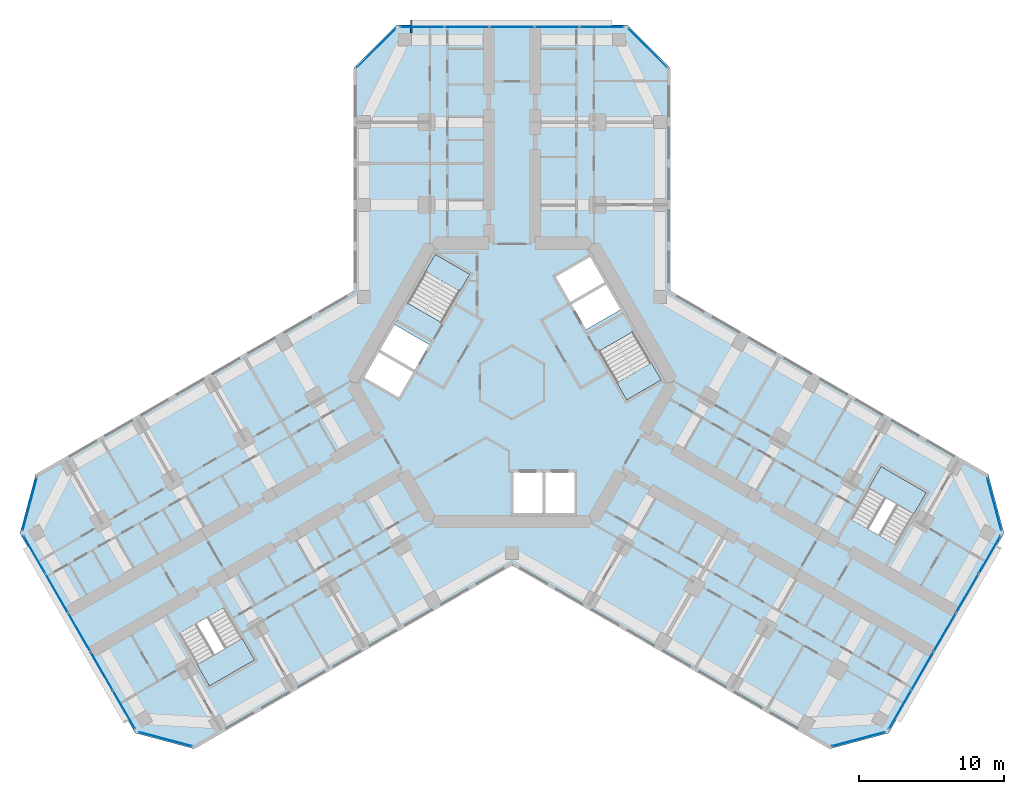
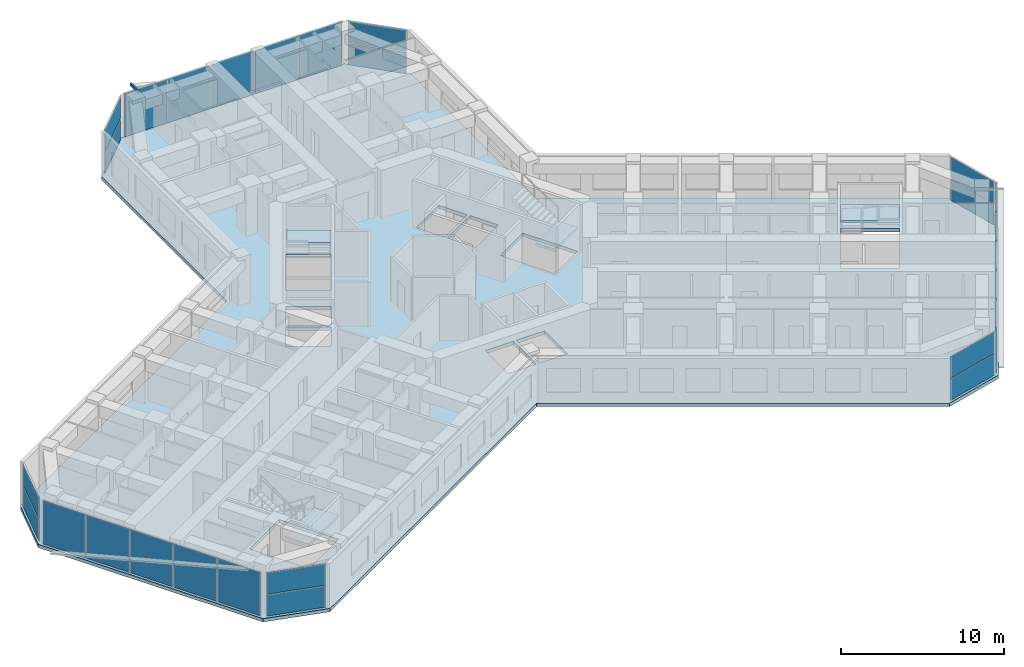
# One storey, part 9 of 19: 27 plates, 5 slabs, 1 member, 13 elements without a shape of their own.
"""IFC4 building model written with IfcOpenShell, lengths in metres."""

from ifc_helpers import new_model, si_unit, direction, frame, origin, origin_2d, place, context, subcontext, project, spatial, polyline, rectangle, hollow_rectangle, outline, extrude, material, layer, layer_set, material_profile, profile_set, type_object, element, aggregate, save


model = new_model("IFC4")

# Units and contexts
model_context = context("Model", 3, precision=1e-05, world=origin(), true_north=direction((0.0, 1.0)))
body_context = subcontext(model_context, "Body", "Model", "MODEL_VIEW")
ifc_project = project(units=[si_unit("LENGTHUNIT", "METRE"), si_unit("AREAUNIT", "SQUARE_METRE"), si_unit("VOLUMEUNIT", "CUBIC_METRE"), si_unit("PLANEANGLEUNIT", "RADIAN"), si_unit("MASSUNIT", "GRAM", prefix="KILO")], contexts=[model_context])

# Site, building, storey
site_placement = place(None, origin())
site = spatial("IfcSite", under=ifc_project, at=site_placement, CompositionType="ELEMENT")
building_placement = place(site_placement, origin())
building = spatial("IfcBuilding", under=site, at=building_placement, Name="Kosmar Iwan School Tower", CompositionType="ELEMENT")
storey_placement = place(building_placement, frame((0.0, 0.0, 138.199951171875)))
storey = spatial("IfcBuildingStorey", under=building, at=storey_placement, Name="L34", CompositionType="ELEMENT", Elevation=138.199951171875)

# Member
ifc_material_1 = material(Name="Steel S355", Category="steel")
ifc_material_profile = material_profile(ifc_material_1, hollow_rectangle(XDim=0.10009765625, YDim=0.199951171875, WallThickness=0.008056640625, at=origin_2d()), Name="RHS 200x100x8")
ifc_profile_set = profile_set([ifc_material_profile], Name="Steel S355")
member_type = type_object("IfcMemberType", Name="Fin bracket RHS 200x100", PredefinedType="USERDEFINED", material=ifc_profile_set)
member_placement = place(storey_placement, frame((-6.949951171875, 24.10009765625, 3.47509765625), z_axis=(0.0, 1.0, 0.0), x_axis=(-1.0, 0.0, 0.0)))
element("IfcMember", 1, at=member_placement, inside=storey, type_object=member_type, Name="Fin bracket L35", ObjectType="FIN BRACKET", PredefinedType="USERDEFINED", context=body_context, shape_type="SweptSolid", body=[
    extrude(hollow_rectangle(XDim=0.10009765625, YDim=0.199951171875, WallThickness=0.008056640625, at=origin_2d()), origin(), (0.0, 0.0, 1.0), 0.89990234375),
])

# Curtain wall, plates
ifc_material_2 = material(Name="Dark glass in black aluminium frame", Category="aluminium")
curtain_wall_type_1 = type_object("IfcCurtainWallType", Name="Chamfer curtain wall dark glass", PredefinedType="USERDEFINED", material=ifc_material_2)
curtain_wall_1_placement = place(storey_placement, origin())
curtain_wall_1 = element("IfcCurtainWall", 2, at=curtain_wall_1_placement, inside=storey, type_object=curtain_wall_type_1, Name="Curtain wall L34-F02", ObjectType="FACETED CURTAIN WALL", PredefinedType="USERDEFINED")
ifc_material_3 = material(Name="Dark glass", Category="glass")
ifc_layer_1 = layer(ifc_material_3, 0.028076171875)
ifc_layer_set_1 = layer_set([ifc_layer_1], Name="Dark glass panel 28")
plate_type = type_object("IfcPlateType", Name="Dark glass panel 28", PredefinedType="CURTAIN_PANEL", material=ifc_layer_set_1)
plate_1_placement = place(storey_placement, frame((23.908203125, -24.61328125, 0.06005859375), z_axis=(0.0, 0.0, 1.0), x_axis=(0.965925875495, 0.258818861462, 0.0)))
plate_1 = element("IfcPlate", 3, at=plate_1_placement, type_object=plate_type, Name="CW2 panel 1.1", PredefinedType="CURTAIN_PANEL", context=body_context, shape_type="SweptSolid", body=[
    extrude(rectangle(XDim=3.718994140625, YDim=0.028076171875, at=origin_2d()), origin(), (0.0, 0.0, 1.0), 1.5849609375),
])
plate_2_placement = place(storey_placement, frame((23.908203125, -24.61328125, 1.705078125), z_axis=(0.0, 0.0, 1.0), x_axis=(0.965925875495, 0.258818861462, 0.0)))
plate_2 = element("IfcPlate", 4, at=plate_2_placement, type_object=plate_type, Name="CW2 panel 1.2", PredefinedType="CURTAIN_PANEL", context=body_context, shape_type="SweptSolid", body=[
    extrude(rectangle(XDim=3.718994140625, YDim=0.028076171875, at=origin_2d()), origin(), (0.0, 0.0, 1.0), 1.5849609375),
])
aggregate(curtain_wall_1, [plate_1, plate_2])

ifc_material_4 = material(Name="Dark glass in black aluminium frame", Category="aluminium")
curtain_wall_type_2 = type_object("IfcCurtainWallType", Name="Tower curtain wall dark glass", PredefinedType="USERDEFINED", material=ifc_material_4)
curtain_wall_2_placement = place(storey_placement, origin())
curtain_wall_2 = element("IfcCurtainWall", 5, at=curtain_wall_2_placement, inside=storey, type_object=curtain_wall_type_2, Name="Curtain wall L34-F03", ObjectType="UNITISED CURTAIN WALL", PredefinedType="USERDEFINED")
plate_3_placement = place(storey_placement, frame((26.764404296875, -22.592529296875, 0.06005859375), z_axis=(0.0, 0.0, 1.0), x_axis=(0.499999997325, 0.866025405329, 0.0)))
plate_3 = element("IfcPlate", 6, at=plate_3_placement, type_object=plate_type, Name="CW1 panel 1.1", PredefinedType="CURTAIN_PANEL", context=body_context, shape_type="SweptSolid", body=[
    extrude(rectangle(XDim=3.00927734375, YDim=0.028076171875, at=origin_2d()), origin(), (0.0, 0.0, 1.0), 3.22998046875),
])
plate_4_placement = place(storey_placement, frame((28.306640625, -19.921630859375, 0.06005859375), z_axis=(0.0, 0.0, 1.0), x_axis=(0.499999997325, 0.866025405329, 0.0)))
plate_4 = element("IfcPlate", 7, at=plate_4_placement, type_object=plate_type, Name="CW1 panel 2.1", PredefinedType="CURTAIN_PANEL", context=body_context, shape_type="SweptSolid", body=[
    extrude(rectangle(XDim=3.039306640625, YDim=0.028076171875, at=origin_2d()), origin(), (0.0, 0.0, 1.0), 3.22998046875),
])
plate_5_placement = place(storey_placement, frame((29.856201171875, -17.237548828125, 0.06005859375), z_axis=(0.0, 0.0, 1.0), x_axis=(0.499999997325, 0.866025405329, 0.0)))
plate_5 = element("IfcPlate", 8, at=plate_5_placement, type_object=plate_type, Name="CW1 panel 3.1", PredefinedType="CURTAIN_PANEL", context=body_context, shape_type="SweptSolid", body=[
    extrude(rectangle(XDim=3.039306640625, YDim=0.028076171875, at=origin_2d()), origin(), (0.0, 0.0, 1.0), 3.22998046875),
])
plate_6_placement = place(storey_placement, frame((31.40576171875, -14.553466796875, 0.06005859375), z_axis=(0.0, 0.0, 1.0), x_axis=(0.499999997325, 0.866025405329, 0.0)))
plate_6 = element("IfcPlate", 9, at=plate_6_placement, type_object=plate_type, Name="CW1 panel 4.1", PredefinedType="CURTAIN_PANEL", context=body_context, shape_type="SweptSolid", body=[
    extrude(rectangle(XDim=3.039306640625, YDim=0.028076171875, at=origin_2d()), origin(), (0.0, 0.0, 1.0), 3.22998046875),
])
plate_7_placement = place(storey_placement, frame((32.947998046875, -11.88232421875, 0.06005859375), z_axis=(0.0, 0.0, 1.0), x_axis=(0.499999997325, 0.866025405329, 0.0)))
plate_7 = element("IfcPlate", 10, at=plate_7_placement, type_object=plate_type, Name="CW1 panel 5.1", PredefinedType="CURTAIN_PANEL", context=body_context, shape_type="SweptSolid", body=[
    extrude(rectangle(XDim=3.00927734375, YDim=0.028076171875, at=origin_2d()), origin(), (0.0, 0.0, 1.0), 3.22998046875),
])
aggregate(curtain_wall_2, [plate_3, plate_4, plate_5, plate_6, plate_7])

curtain_wall_3_placement = place(storey_placement, origin())
curtain_wall_3 = element("IfcCurtainWall", 11, at=curtain_wall_3_placement, inside=storey, type_object=curtain_wall_type_1, Name="Curtain wall L34-F04", ObjectType="FACETED CURTAIN WALL", PredefinedType="USERDEFINED")
plate_8_placement = place(storey_placement, frame((33.269775390625, -8.3984375, 0.06005859375), z_axis=(0.0, 0.0, 1.0), x_axis=(-0.258818861462, 0.965925875495, 0.0)))
plate_8 = element("IfcPlate", 12, at=plate_8_placement, type_object=plate_type, Name="CW2 panel 1.1", PredefinedType="CURTAIN_PANEL", context=body_context, shape_type="SweptSolid", body=[
    extrude(rectangle(XDim=3.718994140625, YDim=0.028076171875, at=origin_2d()), origin(), (0.0, 0.0, 1.0), 1.5849609375),
])
plate_9_placement = place(storey_placement, frame((33.269775390625, -8.3984375, 1.705078125), z_axis=(0.0, 0.0, 1.0), x_axis=(-0.258818861462, 0.965925875495, 0.0)))
plate_9 = element("IfcPlate", 13, at=plate_9_placement, type_object=plate_type, Name="CW2 panel 1.2", PredefinedType="CURTAIN_PANEL", context=body_context, shape_type="SweptSolid", body=[
    extrude(rectangle(XDim=3.718994140625, YDim=0.028076171875, at=origin_2d()), origin(), (0.0, 0.0, 1.0), 1.5849609375),
])
aggregate(curtain_wall_3, [plate_8, plate_9])

curtain_wall_4_placement = place(storey_placement, origin())
curtain_wall_4 = element("IfcCurtainWall", 14, at=curtain_wall_4_placement, inside=storey, type_object=curtain_wall_type_1, Name="Curtain wall L34-F07", ObjectType="FACETED CURTAIN WALL", PredefinedType="USERDEFINED")
plate_10_placement = place(storey_placement, frame((9.361572265625, 23.0615234375, 0.06005859375), z_axis=(0.0, 0.0, 1.0), x_axis=(-0.707106781187, 0.707106781187, 0.0)))
plate_10 = element("IfcPlate", 15, at=plate_10_placement, type_object=plate_type, Name="CW2 panel 1.1", PredefinedType="CURTAIN_PANEL", context=body_context, shape_type="SweptSolid", body=[
    extrude(rectangle(XDim=3.718994140625, YDim=0.028076171875, at=origin_2d()), origin(), (0.0, 0.0, 1.0), 1.5849609375),
])
plate_11_placement = place(storey_placement, frame((9.361572265625, 23.0615234375, 1.705078125), z_axis=(0.0, 0.0, 1.0), x_axis=(-0.707106781187, 0.707106781187, 0.0)))
plate_11 = element("IfcPlate", 16, at=plate_11_placement, type_object=plate_type, Name="CW2 panel 1.2", PredefinedType="CURTAIN_PANEL", context=body_context, shape_type="SweptSolid", body=[
    extrude(rectangle(XDim=3.718994140625, YDim=0.028076171875, at=origin_2d()), origin(), (0.0, 0.0, 1.0), 1.5849609375),
])
aggregate(curtain_wall_4, [plate_10, plate_11])

curtain_wall_5_placement = place(storey_placement, origin())
curtain_wall_5 = element("IfcCurtainWall", 17, at=curtain_wall_5_placement, inside=storey, type_object=curtain_wall_type_2, Name="Curtain wall L34-F08", ObjectType="UNITISED CURTAIN WALL", PredefinedType="USERDEFINED")
plate_12_placement = place(storey_placement, frame((6.18359375, 24.52490234375, 0.06005859375), z_axis=(0.0, 0.0, 1.0), x_axis=(-1.0, 0.0, 0.0)))
plate_12 = element("IfcPlate", 18, at=plate_12_placement, type_object=plate_type, Name="CW1 panel 1.1", PredefinedType="CURTAIN_PANEL", context=body_context, shape_type="SweptSolid", body=[
    extrude(rectangle(XDim=3.00927734375, YDim=0.028076171875, at=origin_2d()), origin(), (0.0, 0.0, 1.0), 3.22998046875),
])
plate_13_placement = place(storey_placement, frame((3.099365234375, 24.52490234375, 0.06005859375), z_axis=(0.0, 0.0, 1.0), x_axis=(-1.0, 0.0, 0.0)))
plate_13 = element("IfcPlate", 19, at=plate_13_placement, type_object=plate_type, Name="CW1 panel 2.1", PredefinedType="CURTAIN_PANEL", context=body_context, shape_type="SweptSolid", body=[
    extrude(rectangle(XDim=3.039306640625, YDim=0.028076171875, at=origin_2d()), origin(), (0.0, 0.0, 1.0), 3.22998046875),
])
plate_14_placement = place(storey_placement, frame((0.0, 24.52490234375, 0.06005859375), z_axis=(0.0, 0.0, 1.0), x_axis=(-1.0, 0.0, 0.0)))
plate_14 = element("IfcPlate", 20, at=plate_14_placement, type_object=plate_type, Name="CW1 panel 3.1", PredefinedType="CURTAIN_PANEL", context=body_context, shape_type="SweptSolid", body=[
    extrude(rectangle(XDim=3.039306640625, YDim=0.028076171875, at=origin_2d()), origin(), (0.0, 0.0, 1.0), 3.22998046875),
])
plate_15_placement = place(storey_placement, frame((-3.099365234375, 24.52490234375, 0.06005859375), z_axis=(0.0, 0.0, 1.0), x_axis=(-1.0, 0.0, 0.0)))
plate_15 = element("IfcPlate", 21, at=plate_15_placement, type_object=plate_type, Name="CW1 panel 4.1", PredefinedType="CURTAIN_PANEL", context=body_context, shape_type="SweptSolid", body=[
    extrude(rectangle(XDim=3.039306640625, YDim=0.028076171875, at=origin_2d()), origin(), (0.0, 0.0, 1.0), 3.22998046875),
])
plate_16_placement = place(storey_placement, frame((-6.18359375, 24.52490234375, 0.06005859375), z_axis=(0.0, 0.0, 1.0), x_axis=(-1.0, 0.0, 0.0)))
plate_16 = element("IfcPlate", 22, at=plate_16_placement, type_object=plate_type, Name="CW1 panel 5.1", PredefinedType="CURTAIN_PANEL", context=body_context, shape_type="SweptSolid", body=[
    extrude(rectangle(XDim=3.00927734375, YDim=0.028076171875, at=origin_2d()), origin(), (0.0, 0.0, 1.0), 3.22998046875),
])
aggregate(curtain_wall_5, [plate_12, plate_13, plate_14, plate_15, plate_16])

curtain_wall_6_placement = place(storey_placement, origin())
curtain_wall_6 = element("IfcCurtainWall", 23, at=curtain_wall_6_placement, inside=storey, type_object=curtain_wall_type_1, Name="Curtain wall L34-F09", ObjectType="FACETED CURTAIN WALL", PredefinedType="USERDEFINED")
plate_17_placement = place(storey_placement, frame((-9.361572265625, 23.0615234375, 0.06005859375), z_axis=(0.0, 0.0, 1.0), x_axis=(-0.707106781187, -0.707106781187, 0.0)))
plate_17 = element("IfcPlate", 24, at=plate_17_placement, type_object=plate_type, Name="CW2 panel 1.1", PredefinedType="CURTAIN_PANEL", context=body_context, shape_type="SweptSolid", body=[
    extrude(rectangle(XDim=3.718994140625, YDim=0.028076171875, at=origin_2d()), origin(), (0.0, 0.0, 1.0), 1.5849609375),
])
plate_18_placement = place(storey_placement, frame((-9.361572265625, 23.0615234375, 1.705078125), z_axis=(0.0, 0.0, 1.0), x_axis=(-0.707106781187, -0.707106781187, 0.0)))
plate_18 = element("IfcPlate", 25, at=plate_18_placement, type_object=plate_type, Name="CW2 panel 1.2", PredefinedType="CURTAIN_PANEL", context=body_context, shape_type="SweptSolid", body=[
    extrude(rectangle(XDim=3.718994140625, YDim=0.028076171875, at=origin_2d()), origin(), (0.0, 0.0, 1.0), 1.5849609375),
])
aggregate(curtain_wall_6, [plate_17, plate_18])

curtain_wall_7_placement = place(storey_placement, origin())
curtain_wall_7 = element("IfcCurtainWall", 26, at=curtain_wall_7_placement, inside=storey, type_object=curtain_wall_type_1, Name="Curtain wall L34-F12", ObjectType="FACETED CURTAIN WALL", PredefinedType="USERDEFINED")
plate_19_placement = place(storey_placement, frame((-33.269775390625, -8.3984375, 0.06005859375), z_axis=(0.0, 0.0, 1.0), x_axis=(-0.258818861462, -0.965925875495, 0.0)))
plate_19 = element("IfcPlate", 27, at=plate_19_placement, type_object=plate_type, Name="CW2 panel 1.1", PredefinedType="CURTAIN_PANEL", context=body_context, shape_type="SweptSolid", body=[
    extrude(rectangle(XDim=3.718994140625, YDim=0.028076171875, at=origin_2d()), origin(), (0.0, 0.0, 1.0), 1.5849609375),
])
plate_20_placement = place(storey_placement, frame((-33.269775390625, -8.3984375, 1.705078125), z_axis=(0.0, 0.0, 1.0), x_axis=(-0.258818861462, -0.965925875495, 0.0)))
plate_20 = element("IfcPlate", 28, at=plate_20_placement, type_object=plate_type, Name="CW2 panel 1.2", PredefinedType="CURTAIN_PANEL", context=body_context, shape_type="SweptSolid", body=[
    extrude(rectangle(XDim=3.718994140625, YDim=0.028076171875, at=origin_2d()), origin(), (0.0, 0.0, 1.0), 1.5849609375),
])
aggregate(curtain_wall_7, [plate_19, plate_20])

curtain_wall_8_placement = place(storey_placement, origin())
curtain_wall_8 = element("IfcCurtainWall", 29, at=curtain_wall_8_placement, inside=storey, type_object=curtain_wall_type_2, Name="Curtain wall L34-F13", ObjectType="UNITISED CURTAIN WALL", PredefinedType="USERDEFINED")
plate_21_placement = place(storey_placement, frame((-32.947998046875, -11.88232421875, 0.06005859375), z_axis=(0.0, 0.0, 1.0), x_axis=(0.499999997325, -0.866025405329, 0.0)))
plate_21 = element("IfcPlate", 30, at=plate_21_placement, type_object=plate_type, Name="CW1 panel 1.1", PredefinedType="CURTAIN_PANEL", context=body_context, shape_type="SweptSolid", body=[
    extrude(rectangle(XDim=3.00927734375, YDim=0.028076171875, at=origin_2d()), origin(), (0.0, 0.0, 1.0), 3.22998046875),
])
plate_22_placement = place(storey_placement, frame((-31.40576171875, -14.553466796875, 0.06005859375), z_axis=(0.0, 0.0, 1.0), x_axis=(0.499999997325, -0.866025405329, 0.0)))
plate_22 = element("IfcPlate", 31, at=plate_22_placement, type_object=plate_type, Name="CW1 panel 2.1", PredefinedType="CURTAIN_PANEL", context=body_context, shape_type="SweptSolid", body=[
    extrude(rectangle(XDim=3.039306640625, YDim=0.028076171875, at=origin_2d()), origin(), (0.0, 0.0, 1.0), 3.22998046875),
])
plate_23_placement = place(storey_placement, frame((-29.856201171875, -17.237548828125, 0.06005859375), z_axis=(0.0, 0.0, 1.0), x_axis=(0.499999997325, -0.866025405329, 0.0)))
plate_23 = element("IfcPlate", 32, at=plate_23_placement, type_object=plate_type, Name="CW1 panel 3.1", PredefinedType="CURTAIN_PANEL", context=body_context, shape_type="SweptSolid", body=[
    extrude(rectangle(XDim=3.039306640625, YDim=0.028076171875, at=origin_2d()), origin(), (0.0, 0.0, 1.0), 3.22998046875),
])
plate_24_placement = place(storey_placement, frame((-28.306640625, -19.921630859375, 0.06005859375), z_axis=(0.0, 0.0, 1.0), x_axis=(0.499999997325, -0.866025405329, 0.0)))
plate_24 = element("IfcPlate", 33, at=plate_24_placement, type_object=plate_type, Name="CW1 panel 4.1", PredefinedType="CURTAIN_PANEL", context=body_context, shape_type="SweptSolid", body=[
    extrude(rectangle(XDim=3.039306640625, YDim=0.028076171875, at=origin_2d()), origin(), (0.0, 0.0, 1.0), 3.22998046875),
])
plate_25_placement = place(storey_placement, frame((-26.764404296875, -22.592529296875, 0.06005859375), z_axis=(0.0, 0.0, 1.0), x_axis=(0.499999997325, -0.866025405329, 0.0)))
plate_25 = element("IfcPlate", 34, at=plate_25_placement, type_object=plate_type, Name="CW1 panel 5.1", PredefinedType="CURTAIN_PANEL", context=body_context, shape_type="SweptSolid", body=[
    extrude(rectangle(XDim=3.00927734375, YDim=0.028076171875, at=origin_2d()), origin(), (0.0, 0.0, 1.0), 3.22998046875),
])
aggregate(curtain_wall_8, [plate_21, plate_22, plate_23, plate_24, plate_25])

curtain_wall_9_placement = place(storey_placement, origin())
curtain_wall_9 = element("IfcCurtainWall", 35, at=curtain_wall_9_placement, inside=storey, type_object=curtain_wall_type_1, Name="Curtain wall L34-F14", ObjectType="FACETED CURTAIN WALL", PredefinedType="USERDEFINED")
plate_26_placement = place(storey_placement, frame((-23.908203125, -24.61328125, 0.06005859375), z_axis=(0.0, 0.0, 1.0), x_axis=(0.965925875495, -0.258818861462, 0.0)))
plate_26 = element("IfcPlate", 36, at=plate_26_placement, type_object=plate_type, Name="CW2 panel 1.1", PredefinedType="CURTAIN_PANEL", context=body_context, shape_type="SweptSolid", body=[
    extrude(rectangle(XDim=3.718994140625, YDim=0.028076171875, at=origin_2d()), origin(), (0.0, 0.0, 1.0), 1.5849609375),
])
plate_27_placement = place(storey_placement, frame((-23.908203125, -24.61328125, 1.705078125), z_axis=(0.0, 0.0, 1.0), x_axis=(0.965925875495, -0.258818861462, 0.0)))
plate_27 = element("IfcPlate", 37, at=plate_27_placement, type_object=plate_type, Name="CW2 panel 1.2", PredefinedType="CURTAIN_PANEL", context=body_context, shape_type="SweptSolid", body=[
    extrude(rectangle(XDim=3.718994140625, YDim=0.028076171875, at=origin_2d()), origin(), (0.0, 0.0, 1.0), 1.5849609375),
])
aggregate(curtain_wall_9, [plate_26, plate_27])

# Stair, slab
ifc_material_5 = material(Name="Concrete C35/45", Category="concrete")
stair_type_1 = type_object("IfcStairType", Name="Escape stair 3600", PredefinedType="HALF_TURN_STAIR", material=ifc_material_5)
stair_1_placement = place(storey_placement, origin())
stair_1 = element("IfcStair", 38, at=stair_1_placement, inside=storey, type_object=stair_type_1, Name="Stair WS2 L34", PredefinedType="HALF_TURN_STAIR")
ifc_material_6 = material(Name="Concrete C35/45", Category="concrete")
ifc_layer_2 = layer(ifc_material_6, 0.199951171875)
ifc_layer_set_2 = layer_set([ifc_layer_2], Name="Escape stair landing 200")
slab_type_1 = type_object("IfcSlabType", Name="Escape stair landing 200", PredefinedType="LANDING", material=ifc_layer_set_2)
slab_1_placement = place(storey_placement, frame((0.0, 0.0, 1.60009765625)))
slab_1 = element("IfcSlab", 39, at=slab_1_placement, type_object=slab_type_1, Name="WS2 landing 1", PredefinedType="LANDING", context=body_context, shape_type="SweptSolid", body=[
    extrude(outline(polyline([(-18.607421875, -17.671142578125), (-21.72509765625, -19.47119140625), (-20.875, -20.943359375), (-17.75732421875, -19.143310546875), (-18.607421875, -17.671142578125)])), origin(), (0.0, 0.0, 1.0), 0.199951171875),
])
aggregate(stair_1, [slab_1])

stair_2_placement = place(storey_placement, origin())
stair_2 = element("IfcStair", 40, at=stair_2_placement, inside=storey, type_object=stair_type_1, Name="Stair WS3 L34", PredefinedType="HALF_TURN_STAIR")
slab_2_placement = place(storey_placement, frame((0.0, 0.0, 1.60009765625)))
slab_2 = element("IfcSlab", 41, at=slab_2_placement, type_object=slab_type_1, Name="WS3 landing 1", PredefinedType="LANDING", context=body_context, shape_type="SweptSolid", body=[
    extrude(outline(polyline([(24.607421875, -7.27880859375), (27.72509765625, -9.078857421875), (28.574951171875, -7.606689453125), (25.457275390625, -5.806640625), (24.607421875, -7.27880859375)])), origin(), (0.0, 0.0, 1.0), 0.199951171875),
])
aggregate(stair_2, [slab_2])

# Slab
ifc_material_7 = material(Name="Concrete C35/45", Category="concrete")
ifc_layer_3 = layer(ifc_material_7, 0.25)
ifc_layer_set_3 = layer_set([ifc_layer_3], Name="Floor slab 250")
slab_type_2 = type_object("IfcSlabType", Name="Floor slab 250", PredefinedType="FLOOR", material=ifc_layer_set_3)
slab_3_placement = place(storey_placement, frame((0.0, 0.0, -0.25)))
element("IfcSlab", 42, at=slab_3_placement, inside=storey, type_object=slab_type_2, Name="L34 floor slab", PredefinedType="FLOOR", context=body_context, shape_type="SweptSolid", body=[
    extrude(outline(polyline([(-21.891357421875, -25.282958984375), (0.0, -12.64404296875), (21.891357421875, -25.282958984375), (25.989501953125, -24.184814453125), (33.939453125, -10.4150390625), (32.84130859375, -6.317138671875), (10.949951171875, 6.322021484375), (10.949951171875, 21.64990234375), (7.949951171875, 24.64990234375), (-7.949951171875, 24.64990234375), (-10.949951171875, 21.64990234375), (-10.949951171875, 6.322021484375), (-32.84130859375, -6.317138671875), (-33.939453125, -10.4150390625), (-25.989501953125, -24.184814453125), (-21.891357421875, -25.282958984375)]), holes=[polyline([(7.91259765625, -1.205078125), (10.294189453125, 0.169921875), (8.3642578125, 3.5126953125), (5.982666015625, 2.1376953125), (7.91259765625, -1.205078125)]), polyline([(-2.91259765625, 7.455078125), (-5.294189453125, 8.830078125), (-7.22412109375, 5.4873046875), (-4.8427734375, 4.1123046875), (-2.91259765625, 7.455078125)]), polyline([(-5.712646484375, 2.60546875), (-8.09423828125, 3.98046875), (-9.09423828125, 2.248291015625), (-6.712646484375, 0.873291015625), (-5.712646484375, 2.60546875)]), polyline([(-6.812744140625, 0.7001953125), (-9.1943359375, 2.0751953125), (-10.1943359375, 0.343017578125), (-7.812744140625, -1.031982421875), (-6.812744140625, 0.7001953125)]), polyline([(5.112548828125, 3.64453125), (7.494140625, 5.01953125), (6.494140625, 6.751708984375), (4.112548828125, 5.376708984375), (5.112548828125, 3.64453125)]), polyline([(4.0126953125, 5.5498046875), (6.394287109375, 6.9248046875), (5.394287109375, 8.656982421875), (3.0126953125, 7.281982421875), (4.0126953125, 5.5498046875)]), polyline([(0.10009765625, -6.199951171875), (0.10009765625, -9.0), (2.10009765625, -9.0), (2.10009765625, -6.199951171875), (0.10009765625, -6.199951171875)]), polyline([(2.300048828125, -6.199951171875), (2.300048828125, -9.0), (4.300048828125, -9.0), (4.300048828125, -6.199951171875), (2.300048828125, -6.199951171875)]), polyline([(-19.847412109375, -15.5234375), (-22.965087890625, -17.323486328125), (-20.875, -20.943359375), (-17.75732421875, -19.143310546875), (-19.847412109375, -15.5234375)]), polyline([(23.367431640625, -9.426513671875), (26.485107421875, -11.2265625), (28.574951171875, -7.606689453125), (25.457275390625, -5.806640625), (23.367431640625, -9.426513671875)])]), origin(), (0.0, 0.0, 1.0), 0.25),
])

# Stair, slab
ifc_material_8 = material(Name="Concrete C35/45", Category="concrete")
stair_type_2 = type_object("IfcStairType", Name="Core stair 2750", PredefinedType="HALF_TURN_STAIR", material=ifc_material_8)
stair_3_placement = place(storey_placement, origin())
stair_3 = element("IfcStair", 43, at=stair_3_placement, inside=storey, type_object=stair_type_2, Name="Stair ST2 L34", PredefinedType="HALF_TURN_STAIR")
ifc_material_9 = material(Name="Concrete C35/45", Category="concrete")
ifc_layer_4 = layer(ifc_material_9, 0.199951171875)
ifc_layer_set_4 = layer_set([ifc_layer_4], Name="Stair landing 200")
slab_type_3 = type_object("IfcSlabType", Name="Stair landing 200", PredefinedType="LANDING", material=ifc_layer_set_4)
slab_4_placement = place(storey_placement, frame((0.0, 0.0, 1.60009765625)))
slab_4 = element("IfcSlab", 44, at=slab_4_placement, type_object=slab_type_3, Name="ST2 landing 1", PredefinedType="LANDING", context=body_context, shape_type="SweptSolid", body=[
    extrude(outline(polyline([(-2.91259765625, 7.455078125), (-5.294189453125, 8.830078125), (-5.97412109375, 7.65234375), (-3.5927734375, 6.27734375), (-2.91259765625, 7.455078125)])), origin(), (0.0, 0.0, 1.0), 0.199951171875),
])
aggregate(stair_3, [slab_4])

stair_4_placement = place(storey_placement, origin())
stair_4 = element("IfcStair", 45, at=stair_4_placement, inside=storey, type_object=stair_type_2, Name="Stair ST1 L34", PredefinedType="HALF_TURN_STAIR")
slab_5_placement = place(storey_placement, frame((0.0, 0.0, 1.60009765625)))
slab_5 = element("IfcSlab", 46, at=slab_5_placement, type_object=slab_type_3, Name="ST1 landing 1", PredefinedType="LANDING", context=body_context, shape_type="SweptSolid", body=[
    extrude(outline(polyline([(7.91259765625, -1.205078125), (10.294189453125, 0.169921875), (9.6142578125, 1.34765625), (7.232666015625, -0.02734375), (7.91259765625, -1.205078125)])), origin(), (0.0, 0.0, 1.0), 0.199951171875),
])
aggregate(stair_4, [slab_5])

save(model, "model.ifc")
